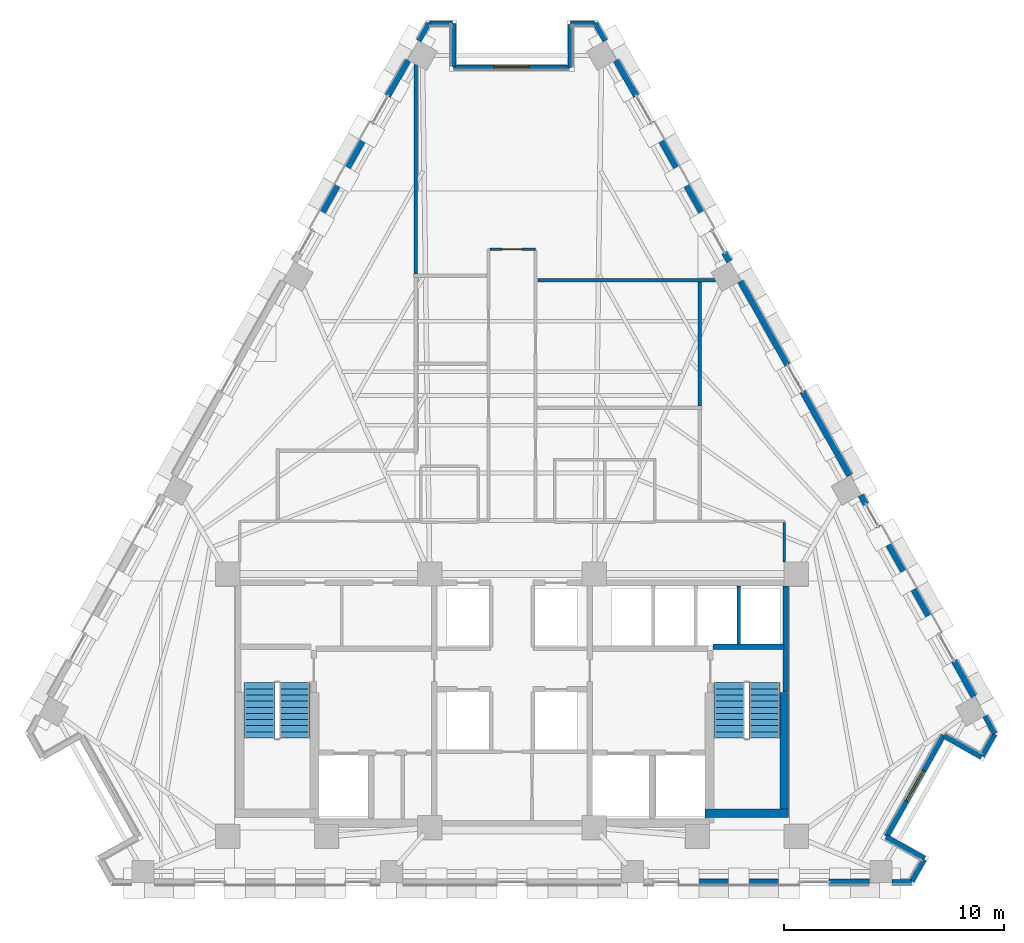
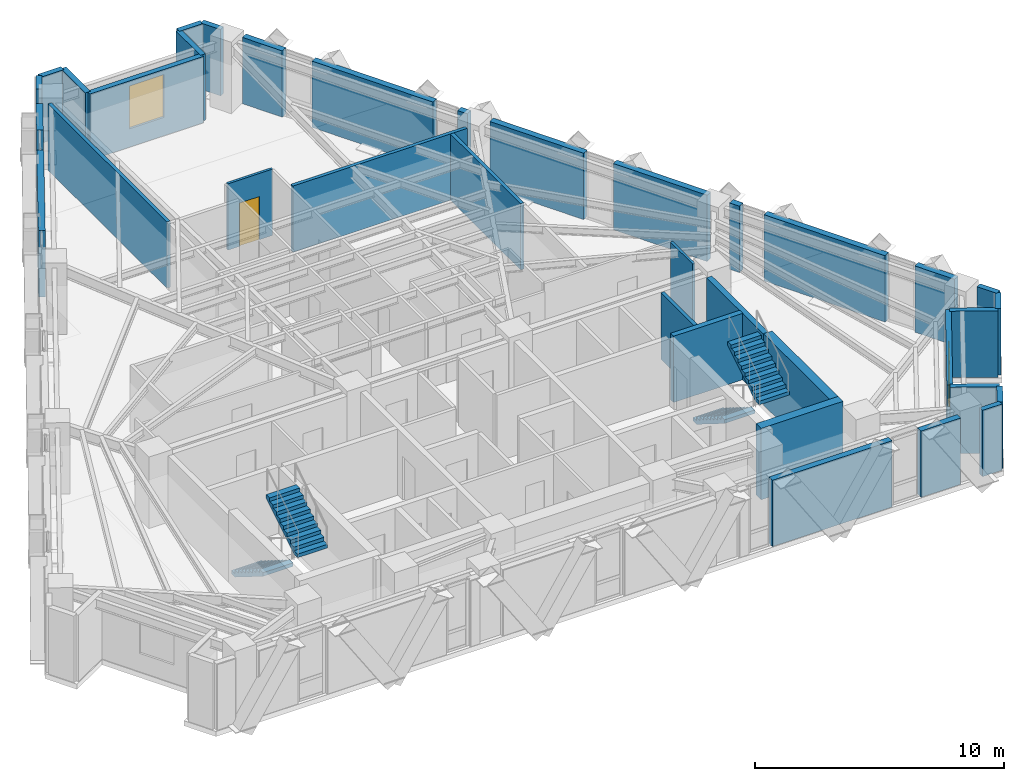
# One storey, part 9 of 13: 36 walls, 4 stair flights, 2 windows, 1 door, 3 openings, 2 elements without a shape of their own.
"""IFC4 building model written with IfcOpenShell, lengths in metres."""

from ifc_helpers import new_model, si_unit, direction, frame, frame_2d, origin, place, context, subcontext, project, spatial, polyline, rectangle, outline, extrude, material, layer, layer_set, type_object, element, fill, aggregate, save


model = new_model("IFC4")

# Units and contexts
model_context = context("Model", 3, precision=1e-05, world=origin(), true_north=direction((0.0, 1.0)))
body_context = subcontext(model_context, "Body", "Model", "MODEL_VIEW")
ifc_project = project(units=[si_unit("LENGTHUNIT", "METRE"), si_unit("AREAUNIT", "SQUARE_METRE"), si_unit("VOLUMEUNIT", "CUBIC_METRE"), si_unit("PLANEANGLEUNIT", "RADIAN"), si_unit("MASSUNIT", "GRAM", prefix="KILO")], contexts=[model_context])

# Site, building, storey
site_placement = place(None, origin())
site = spatial("IfcSite", under=ifc_project, at=site_placement, CompositionType="ELEMENT")
building_placement = place(site_placement, origin())
building = spatial("IfcBuilding", under=site, at=building_placement, Name="Quenlor Broadcast Tower", CompositionType="ELEMENT")
storey_placement = place(building_placement, frame((0.0, 0.0, 151.0)))
storey = spatial("IfcBuildingStorey", under=building, at=storey_placement, Name="L41", CompositionType="ELEMENT", Elevation=151.0)

# Walls
ifc_material_1 = material(Name="Concrete C50/60", Category="concrete")
ifc_layer_1 = layer(ifc_material_1, 0.39990234375)
ifc_layer_set_1 = layer_set([ifc_layer_1], Name="Core Concrete C50/60 Shear Wall 400")
wall_type_1 = type_object("IfcWallType", Name="Core Concrete C50/60 Shear Wall 400", PredefinedType="SHEAR", material=ifc_layer_set_1)
wall_1_placement = place(storey_placement, frame((8.800048828125, -15.699951171875, 0.0), z_axis=(0.0, 0.0, 1.0), x_axis=(1.0, 0.0, 0.0)))
element("IfcWall", 1, at=wall_1_placement, inside=storey, type_object=wall_type_1, Name="L41 Core Shear Wall WS-E2", PredefinedType="SHEAR", context=body_context, shape_type="SweptSolid", body=[
    extrude(rectangle(XDim=3.800048828125, YDim=0.39990234375, at=frame_2d((1.89990234375, 0.0))), origin(), (0.0, 0.0, 1.0), 3.5),
])
wall_2_placement = place(storey_placement, frame((12.39990234375, -15.699951171875, 0.0), z_axis=(0.0, 0.0, 1.0), x_axis=(0.0, 1.0, 0.0)))
element("IfcWall", 2, at=wall_2_placement, inside=storey, type_object=wall_type_1, Name="L41 Core Shear Wall WF-E", PredefinedType="SHEAR", context=body_context, shape_type="SweptSolid", body=[
    extrude(rectangle(XDim=5.5, YDim=0.39990234375, at=frame_2d((2.75, 0.0))), origin(), (0.0, 0.0, 1.0), 3.5),
])
ifc_material_2 = material(Name="Concrete C40/50", Category="concrete")
ifc_layer_2 = layer(ifc_material_2, 0.25)
ifc_layer_set_2 = layer_set([ifc_layer_2], Name="Fire Rated Concrete C40/50 Core Wall 250")
wall_type_2 = type_object("IfcWallType", Name="Fire Rated Concrete C40/50 Core Wall 250", PredefinedType="PARTITIONING", material=ifc_layer_set_2)
wall_3_placement = place(storey_placement, frame((9.159912109375, -8.1201171875, 0.0), z_axis=(0.0, 0.0, 1.0), x_axis=(1.0, 0.0, 0.0)))
element("IfcWall", 3, at=wall_3_placement, inside=storey, type_object=wall_type_2, Name="L41 Interior Wall CW-ST2-N", PredefinedType="PARTITIONING", context=body_context, shape_type="SweptSolid", body=[
    extrude(rectangle(XDim=3.219970703125, YDim=0.25, at=frame_2d((1.60986328125, 0.0))), origin(), (0.0, 0.0, 1.0), 3.25),
])
wall_4_placement = place(storey_placement, frame((12.47998046875, -10.179931640625, 0.0), z_axis=(0.0, 0.0, 1.0), x_axis=(0.0, 1.0, 0.0)))
element("IfcWall", 4, at=wall_4_placement, inside=storey, type_object=wall_type_2, Name="L41 Interior Wall CW-ST2-E2", PredefinedType="PARTITIONING", context=body_context, shape_type="SweptSolid", body=[
    extrude(rectangle(XDim=4.827880859375, YDim=0.25, at=frame_2d((2.4140625, 0.0))), origin(), (0.0, 0.0, 1.0), 3.25),
])
ifc_material_3 = material(Name="Gypsum Fireboard Partition", Category="other")
ifc_layer_3 = layer(ifc_material_3, 0.159912109375)
ifc_layer_set_3 = layer_set([ifc_layer_3], Name="Fire Rated Shaft and Corridor Partition 160")
wall_type_3 = type_object("IfcWallType", Name="Fire Rated Shaft and Corridor Partition 160", PredefinedType="PARTITIONING", material=ifc_layer_set_3)
wall_5_placement = place(storey_placement, frame((10.324951171875, -7.992919921875, 0.0), z_axis=(0.0, 0.0, 1.0), x_axis=(0.0, 1.0, 0.0)))
element("IfcWall", 5, at=wall_5_placement, inside=storey, type_object=wall_type_3, Name="L41 Interior Wall CW-PLH-D3", PredefinedType="PARTITIONING", context=body_context, shape_type="SweptSolid", body=[
    extrude(rectangle(XDim=2.65283203125, YDim=0.159912109375, at=frame_2d((1.326416015625, 0.0))), origin(), (0.0, 0.0, 1.0), 3.25),
])
wall_6_placement = place(storey_placement, frame((9.264404296875, 8.580078125, 0.0), z_axis=(0.0, 0.0, 1.0), x_axis=(-1.0, 0.0, 0.0)))
element("IfcWall", 6, at=wall_6_placement, inside=storey, type_object=wall_type_3, Name="L41 Interior Wall PW-DV-02", PredefinedType="PARTITIONING", context=body_context, shape_type="SweptSolid", body=[
    extrude(rectangle(XDim=8.08447265625, YDim=0.159912109375, at=frame_2d((4.042236328125, 0.0))), origin(), (0.0, 0.0, 1.0), 3.25),
])
wall_7_placement = place(storey_placement, frame((-4.3798828125, 8.862060546875, 0.0), z_axis=(0.0, 0.0, 1.0), x_axis=(0.0, 1.0, 0.0)))
element("IfcWall", 7, at=wall_7_placement, inside=storey, type_object=wall_type_3, Name="L41 Interior Wall PW-DV-03", PredefinedType="PARTITIONING", context=body_context, shape_type="SweptSolid", body=[
    extrude(rectangle(XDim=9.55322265625, YDim=0.159912109375, at=frame_2d((4.776611328125, 0.0))), origin(), (0.0, 0.0, 1.0), 3.25),
])
wall_8_placement = place(storey_placement, frame((8.56005859375, 8.498046875, 0.0), z_axis=(0.0, 0.0, 1.0), x_axis=(0.0, -1.0, 0.0)))
element("IfcWall", 8, at=wall_8_placement, inside=storey, type_object=wall_type_3, Name="L41 Interior Wall PW-DV-07", PredefinedType="PARTITIONING", context=body_context, shape_type="SweptSolid", body=[
    extrude(rectangle(XDim=5.635986328125, YDim=0.159912109375, at=frame_2d((2.81787109375, 0.0))), origin(), (0.0, 0.0, 1.0), 3.25),
])

# Wall, opening, door
ifc_material_4 = material(Name="Gypsum Plasterboard Partition", Category="other")
ifc_layer_4 = layer(ifc_material_4, 0.1201171875)
ifc_layer_set_4 = layer_set([ifc_layer_4], Name="Standard Office Partition 120")
wall_type_4 = type_object("IfcWallType", Name="Standard Office Partition 120", PredefinedType="PARTITIONING", material=ifc_layer_set_4)
wall_9_placement = place(storey_placement, frame((-1.008056640625, 10.0, 0.0), z_axis=(0.0, 0.0, 1.0), x_axis=(1.0, 0.0, 0.0)))
wall_9 = element("IfcWall", 9, at=wall_9_placement, inside=storey, type_object=wall_type_4, Name="L41 Interior Wall PW-CR-04", PredefinedType="PARTITIONING", context=body_context, shape_type="SweptSolid", body=[
    extrude(rectangle(XDim=2.078125, YDim=0.1201171875, at=frame_2d((1.0390625, 0.0))), origin(), (0.0, 0.0, 1.0), 3.25),
])
opening_1_placement = place(wall_9_placement, frame((0.548095703125, 0.0, 0.0)))
opening_1 = element("IfcOpeningElement", 10, at=opening_1_placement, cuts=wall_9, Name="Opening ID-1", PredefinedType="OPENING", context=body_context, shape_type="SweptSolid", body=[
    extrude(rectangle(XDim=0.919921875, YDim=2.1201171875, at=frame_2d((0.4599609375, 1.06005859375))), frame((0.0, 0.070068359375, 0.0), z_axis=(0.0, -1.0, 0.0), x_axis=(1.0, 0.0, 0.0)), (0.0, 0.0, 1.0), 0.14013671875),
])
ifc_material_5 = material(Name="Solid Core Timber Oak", Category="wood")
door_type = type_object("IfcDoorType", Name="Single Leaf Timber Office Door 920x2120", OperationType="NOTDEFINED", PredefinedType="DOOR", material=ifc_material_5)
door_placement = place(opening_1_placement, origin())
door = element("IfcDoor", 11, at=door_placement, inside=storey, type_object=door_type, Name="L41 Door DR-RM01", OperationType="SINGLE_SWING_RIGHT", OverallHeight=2.1201171875, OverallWidth=0.919921875, PredefinedType="DOOR", context=body_context, shape_type="SweptSolid", body=[
    extrude(rectangle(XDim=0.919921875, YDim=2.1201171875, at=frame_2d((0.4599609375, 1.06005859375))), frame((0.0, 0.02490234375, 0.0), z_axis=(0.0, -1.0, 0.0), x_axis=(1.0, 0.0, 0.0)), (0.0, 0.0, 1.0), 0.050048828125),
])
fill(opening_1, door)

# Walls
wall_10_placement = place(storey_placement, frame((12.409912109375, -2.4619140625, 0.0), z_axis=(0.0, 0.0, 1.0), x_axis=(0.0, -1.0, 0.0)))
element("IfcWall", 12, at=wall_10_placement, inside=storey, type_object=wall_type_4, Name="L41 Interior Wall PW-CR-07", PredefinedType="PARTITIONING", context=body_context, shape_type="SweptSolid", body=[
    extrude(rectangle(XDim=1.7861328125, YDim=0.1201171875, at=frame_2d((0.89306640625, 0.0))), origin(), (0.0, 0.0, 1.0), 3.25),
])
ifc_material_6 = material(Name="Precast concrete C40/50", Category="concrete")
ifc_layer_5 = layer(ifc_material_6, 0.239990234375)
ifc_layer_set_5 = layer_set([ifc_layer_5], Name="Terrace Threshold Precast Concrete C40/50 Wall 240")
wall_type_5 = type_object("IfcWallType", Name="Terrace Threshold Precast Concrete C40/50 Wall 240", PredefinedType="STANDARD", material=ifc_layer_set_5)
wall_11_placement = place(storey_placement, frame((18.2099609375, -18.824951171875, 0.0), z_axis=(0.0, 0.0, 1.0), x_axis=(-1.0, 0.0, 0.0)))
element("IfcWall", 13, at=wall_11_placement, inside=storey, type_object=wall_type_5, Name="L41 Exterior Wall L41-SHD-SS0", PredefinedType="STANDARD", context=body_context, shape_type="SweptSolid", body=[
    extrude(rectangle(XDim=0.896484375, YDim=0.239990234375, at=frame_2d((0.4482421875, 0.0))), origin(), (0.0, 0.0, 1.0), 3.25),
])
wall_12_placement = place(storey_placement, frame((3.7919921875, 20.302001953125, 0.0), z_axis=(0.0, 0.0, 1.0), x_axis=(0.490048346303, -0.871695255399, 0.0)))
element("IfcWall", 14, at=wall_12_placement, inside=storey, type_object=wall_type_5, Name="L41 Exterior Wall L41-SHD-NES0", PredefinedType="STANDARD", context=body_context, shape_type="SweptSolid", body=[
    extrude(rectangle(XDim=0.925537109375, YDim=0.239990234375, at=frame_2d((0.462890625, 0.0))), origin(), (0.0, 0.0, 1.0), 3.25),
])
wall_13_placement = place(storey_placement, frame((21.54931640625, -11.2666015625, 0.0), z_axis=(0.0, 0.0, 1.0), x_axis=(0.490248718924, -0.871582579905, 0.0)))
element("IfcWall", 15, at=wall_13_placement, inside=storey, type_object=wall_type_5, Name="L41 Exterior Wall L41-SHD-NES1", PredefinedType="STANDARD", context=body_context, shape_type="SweptSolid", body=[
    extrude(rectangle(XDim=0.92578125, YDim=0.239990234375, at=frame_2d((0.462890625, 0.0))), origin(), (0.0, 0.0, 1.0), 3.25),
])
wall_14_placement = place(storey_placement, frame((-4.24560546875, 19.4951171875, 0.0), z_axis=(0.0, 0.0, 1.0), x_axis=(0.490048346303, 0.871695255399, 0.0)))
element("IfcWall", 16, at=wall_14_placement, inside=storey, type_object=wall_type_5, Name="L41 Exterior Wall L41-SHD-NWS1", PredefinedType="STANDARD", context=body_context, shape_type="SweptSolid", body=[
    extrude(rectangle(XDim=0.925537109375, YDim=0.239990234375, at=frame_2d((0.462890625, 0.0))), origin(), (0.0, 0.0, 1.0), 3.25),
])
wall_15_placement = place(storey_placement, frame((18.783935546875, -17.760009765625, 0.0), z_axis=(0.0, 0.0, 1.0), x_axis=(-0.871536415941, 0.49033078191, 0.0)))
element("IfcWall", 17, at=wall_15_placement, inside=storey, type_object=wall_type_5, Name="L41 Exterior Wall L41-CNR-01", PredefinedType="STANDARD", context=body_context, shape_type="SweptSolid", body=[
    extrude(rectangle(XDim=2.0, YDim=0.239990234375, at=frame_2d((1.0, 0.0))), origin(), (0.0, 0.0, 1.0), 3.25),
])

# Wall, opening, window
wall_16_placement = place(storey_placement, frame((17.060302734375, -16.744384765625, 0.0), z_axis=(0.0, 0.0, 1.0), x_axis=(0.490276606961, 0.871566892824, 0.0)))
wall_16 = element("IfcWall", 18, at=wall_16_placement, inside=storey, type_object=wall_type_5, Name="L41 Exterior Wall L41-CNR-02", PredefinedType="STANDARD", context=body_context, shape_type="SweptSolid", body=[
    extrude(rectangle(XDim=5.280029296875, YDim=0.239990234375, at=frame_2d((2.64013671875, 0.0))), origin(), (0.0, 0.0, 1.0), 3.25),
])
opening_2_placement = place(wall_16_placement, frame((1.840087890625, 0.0, 0.89990234375)))
opening_2 = element("IfcOpeningElement", 19, at=opening_2_placement, cuts=wall_16, Name="Opening WN-2", PredefinedType="OPENING", context=body_context, shape_type="SweptSolid", body=[
    extrude(rectangle(XDim=1.60009765625, YDim=2.10009765625, at=frame_2d((0.800048828125, 1.050048828125))), frame((0.0, 0.1298828125, 0.0), z_axis=(0.0, -1.0, 0.0), x_axis=(1.0, 0.0, 0.0)), (0.0, 0.0, 1.0), 0.260009765625),
])
ifc_material_7 = material(Name="Thermally Broken Aluminium and Low-E Glass", Category="aluminium")
window_type = type_object("IfcWindowType", Name="Tower Studio Punched Window 1600x2100", PartitioningType="SINGLE_PANEL", PredefinedType="WINDOW", material=ifc_material_7)
window_1_placement = place(opening_2_placement, origin())
window_1 = element("IfcWindow", 20, at=window_1_placement, inside=storey, type_object=window_type, Name="L41 Corner Chamfer Window 2", OverallHeight=2.10009765625, OverallWidth=1.60009765625, PartitioningType="SINGLE_PANEL", PredefinedType="WINDOW", context=body_context, shape_type="SweptSolid", body=[
    extrude(rectangle(XDim=1.60009765625, YDim=2.10009765625, at=frame_2d((0.800048828125, 1.050048828125))), frame((0.0, 0.030029296875, 0.0), z_axis=(0.0, -1.0, 0.0), x_axis=(1.0, 0.0, 0.0)), (0.0, 0.0, 1.0), 0.06005859375),
])
fill(opening_2, window_1)

# Walls
wall_17_placement = place(storey_placement, frame((19.683837890625, -12.162109375, 0.0), z_axis=(0.0, 0.0, 1.0), x_axis=(0.871512328312, -0.490373593906, 0.0)))
element("IfcWall", 21, at=wall_17_placement, inside=storey, type_object=wall_type_5, Name="L41 Exterior Wall L41-CNR-03", PredefinedType="STANDARD", context=body_context, shape_type="SweptSolid", body=[
    extrude(rectangle(XDim=1.960205078125, YDim=0.239990234375, at=frame_2d((0.97998046875, 0.0))), origin(), (0.0, 0.0, 1.0), 3.25),
])
wall_18_placement = place(storey_placement, frame((21.411865234375, -13.08837890625, 0.0), z_axis=(0.0, 0.0, 1.0), x_axis=(0.4900989379, 0.871666811958, 0.0)))
element("IfcWall", 22, at=wall_18_placement, inside=storey, type_object=wall_type_5, Name="L41 Exterior Wall L41-CNR-04", PredefinedType="STANDARD", context=body_context, shape_type="SweptSolid", body=[
    extrude(rectangle(XDim=1.142822265625, YDim=0.239990234375, at=frame_2d((0.5712890625, 0.0))), origin(), (0.0, 0.0, 1.0), 3.25),
])
wall_19_placement = place(storey_placement, frame((3.761474609375, 20.280029296875, 0.0), z_axis=(0.0, 0.0, 1.0), x_axis=(-1.0, 0.0, 0.0)))
element("IfcWall", 23, at=wall_19_placement, inside=storey, type_object=wall_type_5, Name="L41 Exterior Wall L41-CNR-06", PredefinedType="STANDARD", context=body_context, shape_type="SweptSolid", body=[
    extrude(rectangle(XDim=1.1015625, YDim=0.239990234375, at=frame_2d((0.55078125, 0.0))), origin(), (0.0, 0.0, 1.0), 3.25),
])
wall_20_placement = place(storey_placement, frame((2.659912109375, 20.239990234375, 0.0), z_axis=(0.0, 0.0, 1.0), x_axis=(0.0, -1.0, 0.0)))
element("IfcWall", 24, at=wall_20_placement, inside=storey, type_object=wall_type_5, Name="L41 Exterior Wall L41-CNR-07", PredefinedType="STANDARD", context=body_context, shape_type="SweptSolid", body=[
    extrude(rectangle(XDim=1.9599609375, YDim=0.239990234375, at=frame_2d((0.97998046875, 0.0))), origin(), (0.0, 0.0, 1.0), 3.25),
])

# Wall, opening, window
wall_21_placement = place(storey_placement, frame((2.6201171875, 18.280029296875, 0.0), z_axis=(0.0, 0.0, 1.0), x_axis=(-1.0, 0.0, 0.0)))
wall_21 = element("IfcWall", 25, at=wall_21_placement, inside=storey, type_object=wall_type_5, Name="L41 Exterior Wall L41-CNR-08", PredefinedType="STANDARD", context=body_context, shape_type="SweptSolid", body=[
    extrude(rectangle(XDim=5.280029296875, YDim=0.239990234375, at=frame_2d((2.64013671875, 0.0))), origin(), (0.0, 0.0, 1.0), 3.25),
])
opening_3_placement = place(wall_21_placement, frame((1.840087890625, 0.0, 0.89990234375)))
opening_3 = element("IfcOpeningElement", 26, at=opening_3_placement, cuts=wall_21, Name="Opening WN-2", PredefinedType="OPENING", context=body_context, shape_type="SweptSolid", body=[
    extrude(rectangle(XDim=1.60009765625, YDim=2.10009765625, at=frame_2d((0.800048828125, 1.050048828125))), frame((0.0, 0.1298828125, 0.0), z_axis=(0.0, -1.0, 0.0), x_axis=(1.0, 0.0, 0.0)), (0.0, 0.0, 1.0), 0.260009765625),
])
window_2_placement = place(opening_3_placement, origin())
window_2 = element("IfcWindow", 27, at=window_2_placement, inside=storey, type_object=window_type, Name="L41 Corner Chamfer Window 8", OverallHeight=2.10009765625, OverallWidth=1.60009765625, PartitioningType="SINGLE_PANEL", PredefinedType="WINDOW", context=body_context, shape_type="SweptSolid", body=[
    extrude(rectangle(XDim=1.60009765625, YDim=2.10009765625, at=frame_2d((0.800048828125, 1.050048828125))), frame((0.0, 0.030029296875, 0.0), z_axis=(0.0, -1.0, 0.0), x_axis=(1.0, 0.0, 0.0)), (0.0, 0.0, 1.0), 0.06005859375),
])
fill(opening_3, window_2)

# Walls
wall_22_placement = place(storey_placement, frame((-2.659912109375, 18.320068359375, 0.0), z_axis=(0.0, 0.0, 1.0), x_axis=(0.0, 1.0, 0.0)))
element("IfcWall", 28, at=wall_22_placement, inside=storey, type_object=wall_type_5, Name="L41 Exterior Wall L41-CNR-09", PredefinedType="STANDARD", context=body_context, shape_type="SweptSolid", body=[
    extrude(rectangle(XDim=1.9599609375, YDim=0.239990234375, at=frame_2d((0.97998046875, 0.0))), origin(), (0.0, 0.0, 1.0), 3.25),
])
wall_23_placement = place(storey_placement, frame((-2.699951171875, 20.280029296875, 0.0), z_axis=(0.0, 0.0, 1.0), x_axis=(-1.0, 0.0, 0.0)))
element("IfcWall", 29, at=wall_23_placement, inside=storey, type_object=wall_type_5, Name="L41 Exterior Wall L41-CNR-10", PredefinedType="STANDARD", context=body_context, shape_type="SweptSolid", body=[
    extrude(rectangle(XDim=1.0615234375, YDim=0.239990234375, at=frame_2d((0.53076171875, 0.0))), origin(), (0.0, 0.0, 1.0), 3.25),
])
wall_24_placement = place(storey_placement, frame((18.205810546875, -18.78759765625, 0.0), z_axis=(0.0, 0.0, 1.0), x_axis=(0.490403700594, 0.871495387506, 0.0)))
element("IfcWall", 30, at=wall_24_placement, inside=storey, type_object=wall_type_5, Name="L41 Exterior Wall L41-CNR-18", PredefinedType="STANDARD", context=body_context, shape_type="SweptSolid", body=[
    extrude(rectangle(XDim=1.13916015625, YDim=0.239990234375, at=frame_2d((0.569580078125, 0.0))), origin(), (0.0, 0.0, 1.0), 3.25),
])
ifc_material_8 = material(Name="Precast concrete C40/50", Category="concrete")
ifc_layer_6 = layer(ifc_material_8, 0.280029296875)
ifc_layer_set_6 = layer_set([ifc_layer_6], Name="Terracotta Precast Concrete C40/50 Facade Wall 280")
wall_type_6 = type_object("IfcWallType", Name="Terracotta Precast Concrete C40/50 Facade Wall 280", PredefinedType="STANDARD", material=ifc_layer_set_6)
wall_25_placement = place(storey_placement, frame((16.283447265625, -18.824951171875, 0.0), z_axis=(0.0, 0.0, 1.0), x_axis=(-1.0, 0.0, 0.0)))
element("IfcWall", 31, at=wall_25_placement, inside=storey, type_object=wall_type_6, Name="L41 Exterior Wall L41-SA-SP1", PredefinedType="STANDARD", context=body_context, shape_type="SweptSolid", body=[
    extrude(rectangle(XDim=1.83837890625, YDim=0.280029296875, at=frame_2d((0.919189453125, 0.0))), origin(), (0.0, 0.0, 1.0), 3.25),
])
wall_26_placement = place(storey_placement, frame((13.10693359375, -18.824951171875, 0.0), z_axis=(0.0, 0.0, 1.0), x_axis=(-1.0, 0.0, 0.0)))
element("IfcWall", 32, at=wall_26_placement, inside=storey, type_object=wall_type_6, Name="L41 Exterior Wall L41-SA-SP2", PredefinedType="STANDARD", context=body_context, shape_type="SweptSolid", body=[
    extrude(rectangle(XDim=5.550048828125, YDim=0.280029296875, at=frame_2d((2.77490234375, 0.0))), origin(), (0.0, 0.0, 1.0), 3.25),
])
wall_27_placement = place(storey_placement, frame((4.750732421875, 18.597412109375, 0.0), z_axis=(0.0, 0.0, 1.0), x_axis=(0.490248749158, -0.871582562899, 0.0)))
element("IfcWall", 33, at=wall_27_placement, inside=storey, type_object=wall_type_6, Name="L41 Exterior Wall L41-NEA-SP1", PredefinedType="STANDARD", context=body_context, shape_type="SweptSolid", body=[
    extrude(rectangle(XDim=1.85595703125, YDim=0.280029296875, at=frame_2d((0.927978515625, 0.0))), origin(), (0.0, 0.0, 1.0), 3.25),
])
wall_28_placement = place(storey_placement, frame((6.342041015625, 15.768310546875, 0.0), z_axis=(0.0, 0.0, 1.0), x_axis=(0.490289995219, -0.871559361483, 0.0)))
element("IfcWall", 34, at=wall_28_placement, inside=storey, type_object=wall_type_6, Name="L41 Exterior Wall L41-NEA-SP2", PredefinedType="STANDARD", context=body_context, shape_type="SweptSolid", body=[
    extrude(rectangle(XDim=5.643310546875, YDim=0.280029296875, at=frame_2d((2.82177734375, 0.0))), origin(), (0.0, 0.0, 1.0), 3.25),
])
for number, where, z_axis, x_axis, name in (
    (35, (9.674072265625, 9.8447265625, 0.0), (0.0, 0.0, 1.0), (0.490412424957, -0.871490478116, 0.0), "L41 Exterior Wall L41-NEA-SP3"),
    (36, (15.8955078125, -1.21533203125, 0.0), (0.0, 0.0, 1.0), (0.490009165718, -0.871717280724, 0.0), "L41 Exterior Wall L41-NEC-SP1"),
):
    element("IfcWall", number, at=place(storey_placement, frame(where, z_axis=z_axis, x_axis=x_axis)), inside=storey, type_object=wall_type_6, Name=name, PredefinedType="STANDARD", context=body_context, shape_type="SweptSolid", body=[
        extrude(rectangle(XDim=0.4599609375, YDim=0.280029296875, at=frame_2d((0.22998046875, 0.0))), origin(), (0.0, 0.0, 1.0), 3.25),
    ])
wall_29_placement = place(storey_placement, frame((16.686279296875, -2.621337890625, 0.0), z_axis=(0.0, 0.0, 1.0), x_axis=(0.490238645956, -0.871588245682, 0.0)))
element("IfcWall", 37, at=wall_29_placement, inside=storey, type_object=wall_type_6, Name="L41 Exterior Wall L41-NEC-SP2", PredefinedType="STANDARD", context=body_context, shape_type="SweptSolid", body=[
    extrude(rectangle(XDim=5.643310546875, YDim=0.280029296875, at=frame_2d((2.82177734375, 0.0))), origin(), (0.0, 0.0, 1.0), 3.25),
])
wall_30_placement = place(storey_placement, frame((20.13427734375, -8.751220703125, 0.0), z_axis=(0.0, 0.0, 1.0), x_axis=(0.490248749158, -0.871582562899, 0.0)))
element("IfcWall", 38, at=wall_30_placement, inside=storey, type_object=wall_type_6, Name="L41 Exterior Wall L41-NEC-SP3", PredefinedType="STANDARD", context=body_context, shape_type="SweptSolid", body=[
    extrude(rectangle(XDim=1.85595703125, YDim=0.280029296875, at=frame_2d((0.927978515625, 0.0))), origin(), (0.0, 0.0, 1.0), 3.25),
])
wall_31_placement = place(storey_placement, frame((10.411865234375, 8.532958984375, 0.0), z_axis=(0.0, 0.0, 1.0), x_axis=(0.490274486291, -0.871568085747, 0.0)))
element("IfcWall", 39, at=wall_31_placement, inside=storey, type_object=wall_type_6, Name="L41 Exterior Wall L41-NE-SP1", PredefinedType="STANDARD", context=body_context, shape_type="SweptSolid", body=[
    extrude(rectangle(XDim=4.375244140625, YDim=0.280029296875, at=frame_2d((2.1875, 0.0))), origin(), (0.0, 0.0, 1.0), 3.25),
])
wall_32_placement = place(storey_placement, frame((13.23828125, 3.508544921875, 0.0), z_axis=(0.0, 0.0, 1.0), x_axis=(0.490232095789, -0.871591929895, 0.0)))
element("IfcWall", 40, at=wall_32_placement, inside=storey, type_object=wall_type_6, Name="L41 Exterior Wall L41-NE-SP2", PredefinedType="STANDARD", context=body_context, shape_type="SweptSolid", body=[
    extrude(rectangle(XDim=4.375, YDim=0.280029296875, at=frame_2d((2.1875, 0.0))), origin(), (0.0, 0.0, 1.0), 3.25),
])
wall_33_placement = place(storey_placement, frame((-9.10888671875, 10.849853515625, 0.0), z_axis=(0.0, 0.0, 1.0), x_axis=(0.490289995219, 0.871559361483, 0.0)))
element("IfcWall", 41, at=wall_33_placement, inside=storey, type_object=wall_type_6, Name="L41 Exterior Wall L41-NWC-SP2", PredefinedType="STANDARD", context=body_context, shape_type="SweptSolid", body=[
    extrude(rectangle(XDim=5.643310546875, YDim=0.280029296875, at=frame_2d((2.82177734375, 0.0))), origin(), (0.0, 0.0, 1.0), 3.25),
])
wall_34_placement = place(storey_placement, frame((-5.66064453125, 16.979736328125, 0.0), z_axis=(0.0, 0.0, 1.0), x_axis=(0.490248749158, 0.871582562899, 0.0)))
element("IfcWall", 42, at=wall_34_placement, inside=storey, type_object=wall_type_6, Name="L41 Exterior Wall L41-NWC-SP3", PredefinedType="STANDARD", context=body_context, shape_type="SweptSolid", body=[
    extrude(rectangle(XDim=1.85595703125, YDim=0.280029296875, at=frame_2d((0.927978515625, 0.0))), origin(), (0.0, 0.0, 1.0), 3.25),
])

# Stair, stair flights
ifc_material_9 = material(Name="Precast concrete C40/50", Category="concrete")
stair_type = type_object("IfcStairType", Name="Precast Concrete C40/50 Dogleg Stair H350", PredefinedType="HALF_TURN_STAIR", material=ifc_material_9)
stair_1_placement = place(storey_placement, origin())
stair_1 = element("IfcStair", 43, at=stair_1_placement, inside=storey, type_object=stair_type, Name="L41 West Core Fire-Isolated Exit Stair ST-1", PredefinedType="HALF_TURN_STAIR")
ifc_material_10 = material(Name="Precast concrete C40/50", Category="concrete")
ifc_layer_7 = layer(ifc_material_10, 0.159912109375)
ifc_layer_set_7 = layer_set([ifc_layer_7], Name="Precast Concrete C40/50 Stair Flight H350")
stair_flight_type = type_object("IfcStairFlightType", Name="Precast Concrete C40/50 Stair Flight H350", PredefinedType="STRAIGHT", material=ifc_layer_set_7)
stair_flight_1_placement = place(storey_placement, frame((-11.5, -9.75, 0.0), z_axis=(0.0, 0.0, 1.0), x_axis=(0.0, -1.0, 0.0)))
stair_flight_1 = element("IfcStairFlight", 44, at=stair_flight_1_placement, type_object=stair_flight_type, Name="ST-1 flight 1", NumberOfRisers=10, NumberOfTreads=9, PredefinedType="STRAIGHT", RiserHeight=0.175, TreadLength=0.28, context=body_context, shape_type="SweptSolid", body=[
    extrude(outline(polyline([(0.0, 0.0), (0.0, 0.175048828125), (0.280029296875, 0.175048828125), (0.280029296875, 0.35009765625), (0.56005859375, 0.35009765625), (0.56005859375, 0.52490234375), (0.840087890625, 0.52490234375), (0.840087890625, 0.699951171875), (1.1201171875, 0.699951171875), (1.1201171875, 0.875), (1.39990234375, 0.875), (1.39990234375, 1.050048828125), (1.679931640625, 1.050048828125), (1.679931640625, 1.22509765625), (1.9599609375, 1.22509765625), (1.9599609375, 1.39990234375), (2.239990234375, 1.39990234375), (2.239990234375, 1.574951171875), (2.52001953125, 1.574951171875), (2.52001953125, 1.75), (2.52001953125, 1.398193359375), (0.28271484375, 0.0), (0.0, 0.0)])), frame((0.0, 0.699951171875, 0.0), z_axis=(0.0, -1.0, 0.0), x_axis=(1.0, 0.0, 0.0)), (0.0, 0.0, 1.0), 1.39990234375),
])
stair_flight_2_placement = place(storey_placement, frame((-9.89990234375, -12.27001953125, 1.75), z_axis=(0.0, 0.0, 1.0), x_axis=(0.0, 1.0, 0.0)))
stair_flight_2 = element("IfcStairFlight", 45, at=stair_flight_2_placement, type_object=stair_flight_type, Name="ST-1 flight 2", NumberOfRisers=10, NumberOfTreads=9, PredefinedType="STRAIGHT", RiserHeight=0.175, TreadLength=0.28, context=body_context, shape_type="SweptSolid", body=[
    extrude(outline(polyline([(0.0, 0.0), (0.0, 0.175048828125), (0.280029296875, 0.175048828125), (0.280029296875, 0.35009765625), (0.56005859375, 0.35009765625), (0.56005859375, 0.52490234375), (0.840087890625, 0.52490234375), (0.840087890625, 0.699951171875), (1.1201171875, 0.699951171875), (1.1201171875, 0.875), (1.39990234375, 0.875), (1.39990234375, 1.050048828125), (1.679931640625, 1.050048828125), (1.679931640625, 1.22509765625), (1.9599609375, 1.22509765625), (1.9599609375, 1.39990234375), (2.239990234375, 1.39990234375), (2.239990234375, 1.574951171875), (2.52001953125, 1.574951171875), (2.52001953125, 1.75), (2.52001953125, 1.398193359375), (0.28271484375, 0.0), (0.0, 0.0)])), frame((0.0, 0.699951171875, 0.0), z_axis=(0.0, -1.0, 0.0), x_axis=(1.0, 0.0, 0.0)), (0.0, 0.0, 1.0), 1.39990234375),
])
aggregate(stair_1, [stair_flight_1, stair_flight_2])

stair_2_placement = place(storey_placement, origin())
stair_2 = element("IfcStair", 46, at=stair_2_placement, inside=storey, type_object=stair_type, Name="L41 East Core Fire-Isolated Exit Stair ST-2", PredefinedType="HALF_TURN_STAIR")
stair_flight_3_placement = place(storey_placement, frame((9.89990234375, -9.75, 0.0), z_axis=(0.0, 0.0, 1.0), x_axis=(0.0, -1.0, 0.0)))
stair_flight_3 = element("IfcStairFlight", 47, at=stair_flight_3_placement, type_object=stair_flight_type, Name="ST-2 flight 1", NumberOfRisers=10, NumberOfTreads=9, PredefinedType="STRAIGHT", RiserHeight=0.175, TreadLength=0.28, context=body_context, shape_type="SweptSolid", body=[
    extrude(outline(polyline([(0.0, 0.0), (0.0, 0.175048828125), (0.280029296875, 0.175048828125), (0.280029296875, 0.35009765625), (0.56005859375, 0.35009765625), (0.56005859375, 0.52490234375), (0.840087890625, 0.52490234375), (0.840087890625, 0.699951171875), (1.1201171875, 0.699951171875), (1.1201171875, 0.875), (1.39990234375, 0.875), (1.39990234375, 1.050048828125), (1.679931640625, 1.050048828125), (1.679931640625, 1.22509765625), (1.9599609375, 1.22509765625), (1.9599609375, 1.39990234375), (2.239990234375, 1.39990234375), (2.239990234375, 1.574951171875), (2.52001953125, 1.574951171875), (2.52001953125, 1.75), (2.52001953125, 1.398193359375), (0.28271484375, 0.0), (0.0, 0.0)])), frame((0.0, 0.699951171875, 0.0), z_axis=(0.0, -1.0, 0.0), x_axis=(1.0, 0.0, 0.0)), (0.0, 0.0, 1.0), 1.39990234375),
])
stair_flight_4_placement = place(storey_placement, frame((11.5, -12.27001953125, 1.75), z_axis=(0.0, 0.0, 1.0), x_axis=(0.0, 1.0, 0.0)))
stair_flight_4 = element("IfcStairFlight", 48, at=stair_flight_4_placement, type_object=stair_flight_type, Name="ST-2 flight 2", NumberOfRisers=10, NumberOfTreads=9, PredefinedType="STRAIGHT", RiserHeight=0.175, TreadLength=0.28, context=body_context, shape_type="SweptSolid", body=[
    extrude(outline(polyline([(0.0, 0.0), (0.0, 0.175048828125), (0.280029296875, 0.175048828125), (0.280029296875, 0.35009765625), (0.56005859375, 0.35009765625), (0.56005859375, 0.52490234375), (0.840087890625, 0.52490234375), (0.840087890625, 0.699951171875), (1.1201171875, 0.699951171875), (1.1201171875, 0.875), (1.39990234375, 0.875), (1.39990234375, 1.050048828125), (1.679931640625, 1.050048828125), (1.679931640625, 1.22509765625), (1.9599609375, 1.22509765625), (1.9599609375, 1.39990234375), (2.239990234375, 1.39990234375), (2.239990234375, 1.574951171875), (2.52001953125, 1.574951171875), (2.52001953125, 1.75), (2.52001953125, 1.398193359375), (0.28271484375, 0.0), (0.0, 0.0)])), frame((0.0, 0.699951171875, 0.0), z_axis=(0.0, -1.0, 0.0), x_axis=(1.0, 0.0, 0.0)), (0.0, 0.0, 1.0), 1.39990234375),
])
aggregate(stair_2, [stair_flight_3, stair_flight_4])

save(model, "model.ifc")
